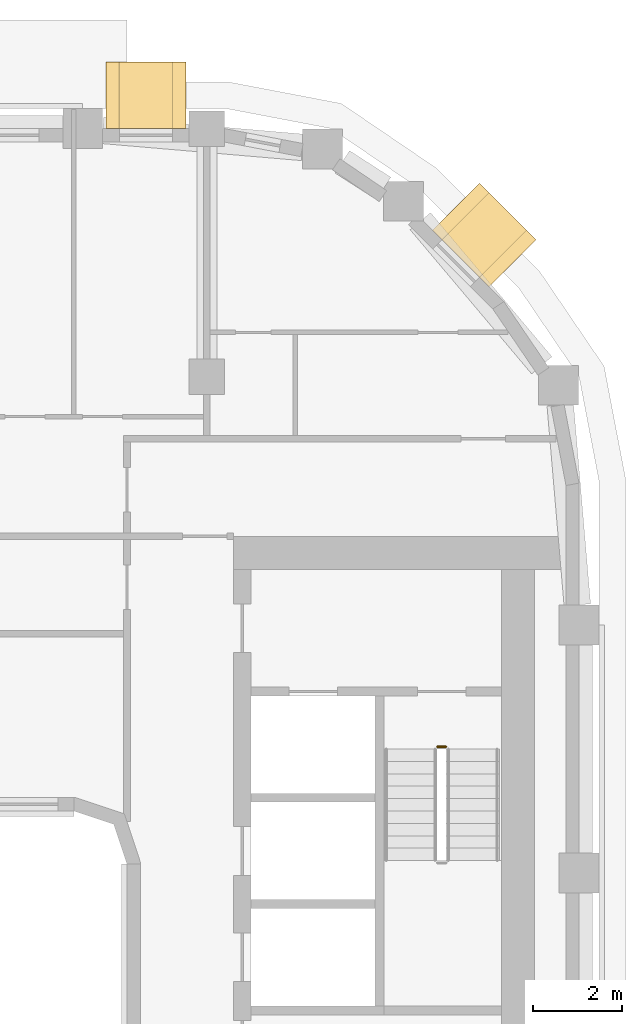
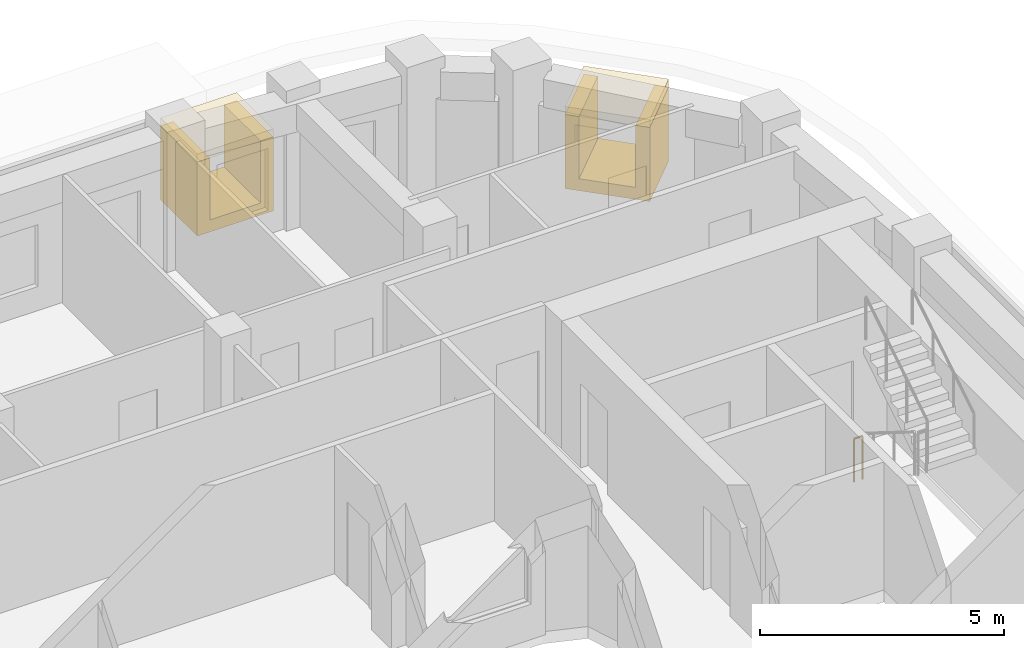
# One storey, part 21 of 21: 4 coverings, 1 railing.
"""IFC4 building model written with IfcOpenShell, lengths in metres."""

import ifcopenshell
import ifcopenshell.guid

model = None  # the IFC model being written
_history = None  # IfcOwnerHistory: only IFC2X3 demands one
_inside = {}  # id of a spatial element -> (the spatial element, [elements in it])
_under = {}  # id of a project, library or spatial element -> (it, [spatial elements below it])
_declared = {}  # id of a project -> (the project, [libraries it declares])
_typed = {}  # id of a type object -> (the type object, [elements of that type])
_made_of = {}  # id of a material, layer set ... -> (it, [elements and type objects made of it])


def new_model(schema):
    """Start an empty IFC model of exactly this schema.

    Asked for "IFC4X3", IfcOpenShell would pick the latest addendum, in which some entities
    have other attributes; the version numbers below select the first issue.
    IFC2X3 requires an IfcOwnerHistory on every rooted entity: one is made here for all.
    """
    global model, _history
    if schema == "IFC4X3":
        model = ifcopenshell.file(schema_version=(4, 3, 0, 0))
    else:
        model = ifcopenshell.file(schema=schema)
    _inside.clear()
    _under.clear()
    _declared.clear()
    _typed.clear()
    _made_of.clear()
    _history = None
    if model.schema == "IFC2X3":
        org = make("IfcOrganization", Name="unknown")
        user = make(
            "IfcPersonAndOrganization",
            ThePerson=make("IfcPerson", FamilyName="unknown"),
            TheOrganization=org,
        )
        app = make(
            "IfcApplication",
            ApplicationDeveloper=org,
            Version="unknown",
            ApplicationFullName="unknown",
            ApplicationIdentifier="unknown",
        )
        _history = make(
            "IfcOwnerHistory",
            OwningUser=user,
            OwningApplication=app,
            ChangeAction="ADDED",
            CreationDate=0,
        )
    return model


def make(cls, **values):
    """One entity of the class cls with the attributes given. An attribute that is None is left unset."""
    return model.create_entity(
        cls, **{name: value for name, value in values.items() if value is not None}
    )


def rooted(cls, **values):
    """An entity with a GlobalId (a new one), such as an element, a storey or a relation."""
    return make(cls, GlobalId=ifcopenshell.guid.new(), OwnerHistory=_history, **values)


def si_unit(unit_type, name, prefix=None):
    """IfcSIUnit, for example si_unit("LENGTHUNIT", "METRE", prefix="MILLI")."""
    return make("IfcSIUnit", UnitType=unit_type, Prefix=prefix, Name=name)


def assignment(units):
    """IfcUnitAssignment: the units of a project."""
    return None if units is None else make("IfcUnitAssignment", Units=units)


def point(xyz):
    """IfcCartesianPoint."""
    return None if xyz is None else make("IfcCartesianPoint", Coordinates=xyz)


def direction(xyz):
    """IfcDirection."""
    return None if xyz is None else make("IfcDirection", DirectionRatios=xyz)


def frame(location, z_axis=None, x_axis=None):
    """IfcAxis2Placement3D, a coordinate frame: its origin and axes. An axis left out is left unset."""
    return make(
        "IfcAxis2Placement3D",
        Location=point(location),
        Axis=direction(z_axis),
        RefDirection=direction(x_axis),
    )


def frame_2d(location, x_axis=None):
    """IfcAxis2Placement2D, a coordinate frame in the plane: its origin and x axis."""
    return make(
        "IfcAxis2Placement2D", Location=point(location), RefDirection=direction(x_axis)
    )


def origin():
    """The frame at (0, 0, 0) with its axes left unset."""
    return frame((0.0, 0.0, 0.0))


def origin_2d():
    """The frame at (0, 0) in the plane with its x axis left unset."""
    return frame_2d((0.0, 0.0))


def place(relative_to, where):
    """IfcLocalPlacement: puts the frame where relative to a parent placement (None: the world)."""
    return make(
        "IfcLocalPlacement", PlacementRelTo=relative_to, RelativePlacement=where
    )


def context(
    kind, dimensions, precision=None, world=None, true_north=None, identifier=None
):
    """IfcGeometricRepresentationContext, for example the 3D "Model" context."""
    return make(
        "IfcGeometricRepresentationContext",
        ContextIdentifier=identifier,
        ContextType=kind,
        CoordinateSpaceDimension=dimensions,
        Precision=precision,
        WorldCoordinateSystem=world,
        TrueNorth=true_north,
    )


def subcontext(parent, identifier, kind, view, scale=None):
    """IfcGeometricRepresentationSubContext, for example "Body" below "Model"."""
    return make(
        "IfcGeometricRepresentationSubContext",
        ContextIdentifier=identifier,
        ContextType=kind,
        ParentContext=parent,
        TargetScale=scale,
        TargetView=view,
    )


def project(units=None, contexts=None):
    """IfcProject with its units and contexts."""
    return rooted(
        "IfcProject",
        Name="project",
        RepresentationContexts=contexts,
        UnitsInContext=assignment(units),
    )


def spatial(cls, under=None, at=None, **own):
    """A site, building, storey or space (cls), placed at a placement, below another one or the project."""
    s = rooted(cls, ObjectPlacement=at, **own)
    if under is not None:
        _under.setdefault(under.id(), (under, []))[1].append(s)
    return s


def polyline(points):
    """IfcPolyline through the points."""
    return make("IfcPolyline", Points=[point(p) for p in points])


def profile(cls, at=None, kind="AREA", **sizes):
    """A parametric profile (cls). Its sizes go by their IFC names, for example OverallWidth=200.0."""
    return make(cls, ProfileType=kind, Position=at, **sizes)


def rectangle(**sizes):
    """IfcRectangleProfileDef."""
    return profile("IfcRectangleProfileDef", **sizes)


def circle(**sizes):
    """IfcCircleProfileDef."""
    return profile("IfcCircleProfileDef", **sizes)


def outline(outer, holes=None, kind="AREA"):
    """IfcArbitraryClosedProfileDef: a profile drawn as a closed curve; with holes, ...WithVoids."""
    if holes is None:
        return make("IfcArbitraryClosedProfileDef", ProfileType=kind, OuterCurve=outer)
    return make(
        "IfcArbitraryProfileDefWithVoids",
        ProfileType=kind,
        OuterCurve=outer,
        InnerCurves=holes,
    )


def extrude(swept, where, along, depth):
    """IfcExtrudedAreaSolid: the profile swept, set in the frame where, extruded along a direction by depth."""
    return make(
        "IfcExtrudedAreaSolid",
        SweptArea=swept,
        Position=where,
        ExtrudedDirection=direction(along),
        Depth=depth,
    )


def shape(context_of_items, identifier, shape_type, items):
    """IfcShapeRepresentation: the items that make up one representation, for example the "Body"."""
    return make(
        "IfcShapeRepresentation",
        ContextOfItems=context_of_items,
        RepresentationIdentifier=identifier,
        RepresentationType=shape_type,
        Items=items,
    )


def material(Name=None, Category=None):
    """IfcMaterial."""
    return make("IfcMaterial", Name=Name, Category=Category)


def layer(
    of_material, thickness, ventilated=None, Name=None, Category=None, Priority=None
):
    """IfcMaterialLayer: one layer of a wall or slab, of a material (None: an air gap)."""
    return make(
        "IfcMaterialLayer",
        Material=of_material,
        LayerThickness=thickness,
        IsVentilated=ventilated,
        Name=Name,
        Category=Category,
        Priority=Priority,
    )


def layer_set(layers, Name=None):
    """IfcMaterialLayerSet."""
    return make("IfcMaterialLayerSet", MaterialLayers=layers, LayerSetName=Name)


def made_of(thing, what):
    """Note that an element or type object is made of a material, layer set ...; save() writes the relation."""
    if what is not None:
        _made_of.setdefault(what.id(), (what, []))[1].append(thing)
    return thing


def type_object(cls, material=None, **own):
    """A type object (cls), such as IfcWallType, which elements share."""
    return made_of(rooted(cls, **own), material)


def element(
    cls,
    number,
    at=None,
    inside=None,
    cuts=None,
    type_object=None,
    material=None,
    context=None,
    identifier="Body",
    shape_type=None,
    held_by="IfcProductDefinitionShape",
    body=None,
    shapes=None,
    **own,
):
    """One element of the class cls, such as IfcWall. Its Tag is "e" and its number.

    at: its placement. inside: the storey or other place that contains it. cuts: it is an
    opening in that element (IfcRelVoidsElement). A single representation is given by context,
    identifier, shape_type and body (its items); several are given by shapes. held_by: the class
    of the entity that holds the representations. save() writes the other relations.
    """
    e = rooted(cls, Tag="e%d" % number, ObjectPlacement=at, **own)
    if body is not None:
        shapes = [shape(context, identifier, shape_type, body)]
    if shapes is not None:
        e.Representation = make(held_by, Representations=shapes)
    if inside is not None:
        _inside.setdefault(inside.id(), (inside, []))[1].append(e)
    if cuts is not None:
        rooted(
            "IfcRelVoidsElement", RelatingBuildingElement=cuts, RelatedOpeningElement=e
        )
    if type_object is not None:
        _typed.setdefault(type_object.id(), (type_object, []))[1].append(e)
    return made_of(e, material)


def aggregate(whole, parts):
    """IfcRelAggregates: a whole, such as a stair, and the parts it consists of."""
    return rooted("IfcRelAggregates", RelatingObject=whole, RelatedObjects=parts)


def save(model, path):
    """Write the relations noted so far, then the file.

    IfcRelAggregates (storeys below a building ...), IfcRelContainedInSpatialStructure (elements
    in a storey), IfcRelDefinesByType, IfcRelAssociatesMaterial and IfcRelDeclares: one each for
    every whole, place, type object, material and project.
    """
    for whole, parts in _under.values():
        aggregate(whole, parts)
    for where, things in _inside.values():
        rooted(
            "IfcRelContainedInSpatialStructure",
            RelatedElements=things,
            RelatingStructure=where,
        )
    for kind, things in _typed.values():
        rooted("IfcRelDefinesByType", RelatedObjects=things, RelatingType=kind)
    for what, things in _made_of.values():
        rooted("IfcRelAssociatesMaterial", RelatedObjects=things, RelatingMaterial=what)
    for by, libraries in _declared.values():
        rooted("IfcRelDeclares", RelatingContext=by, RelatedDefinitions=libraries)
    model.write(path)


model = new_model("IFC4")

# Units and contexts
model_context = context("Model", 3, precision=1e-05, world=origin(), true_north=direction((0.0, 1.0)))
body_context = subcontext(model_context, "Body", "Model", "MODEL_VIEW")
ifc_project = project(units=[si_unit("LENGTHUNIT", "METRE"), si_unit("AREAUNIT", "SQUARE_METRE"), si_unit("VOLUMEUNIT", "CUBIC_METRE"), si_unit("PLANEANGLEUNIT", "RADIAN"), si_unit("MASSUNIT", "GRAM", prefix="KILO")], contexts=[model_context])

# Site, building, storey
site_placement = place(None, origin())
site = spatial("IfcSite", under=ifc_project, at=site_placement, CompositionType="ELEMENT")
building_placement = place(site_placement, origin())
building = spatial("IfcBuilding", under=site, at=building_placement, Name="Kiln Ring Residences", CompositionType="ELEMENT")
storey_placement = place(building_placement, frame((0.0, 0.0, 202.89990234375)))
storey = spatial("IfcBuildingStorey", under=building, at=storey_placement, Name="L52", CompositionType="ELEMENT", Elevation=202.89990234375)

# Railing
ifc_material_1 = material(Name="Stainless steel", Category="steel")
railing_type = type_object("IfcRailingType", Name="CORE-STAIR-GUARD", PredefinedType="GUARDRAIL", material=ifc_material_1)
railing_placement = place(storey_placement, frame((22.0, 8.449951171875, 0.0)))
element("IfcRailing", 1, at=railing_placement, inside=storey, type_object=railing_type, Name="L52 E-STN stair guard 4", PredefinedType="GUARDRAIL", context=body_context, shape_type="SweptSolid", body=[
    extrude(circle(Radius=0.02392578125, at=origin_2d()), frame((0.0, 0.0, 1.076171875), z_axis=(1.0, 0.0, 0.0), x_axis=(0.0, 1.0, 0.0)), (0.0, 0.0, 1.0), 0.199951171875),
    extrude(circle(Radius=0.02099609375, at=origin_2d()), origin(), (0.0, 0.0, 1.0), 1.052001953125),
    extrude(circle(Radius=0.02099609375, at=origin_2d()), frame((0.199951171875, 0.0, 0.0)), (0.0, 0.0, 1.0), 1.052001953125),
])

# Coverings
ifc_material_2 = material(Name="Brick masonry, dark clay brick", Category="masonry")
ifc_layer_1 = layer(ifc_material_2, 0.300048828125)
ifc_layer_set_1 = layer_set([ifc_layer_1], Name="FRAME CHEEKS AND SILL 1500")
covering_type_1 = type_object("IfcCoveringType", Name="FRAME CHEEKS AND SILL 1500", PredefinedType="CLADDING", material=ifc_layer_set_1)
for number, where, z_axis, x_axis, name in (
    (2, (23.697509765625, 19.36328125, 0.300048828125), (0.0, 0.0, 1.0), (-0.707174592913, 0.707038962956, 0.0), "FRAME L52"),
    (3, (16.324951171875, 23.14990234375, 0.300048828125), (0.0, 0.0, 1.0), (-1.0, 0.0, 0.0), "FRAME L52"),
):
    element("IfcCovering", number, at=place(storey_placement, frame(where, z_axis=z_axis, x_axis=x_axis)), inside=storey, type_object=covering_type_1, Name=name, PredefinedType="CLADDING", context=body_context, shape_type="SweptSolid", body=[
        extrude(outline(polyline([(0.0, 0.0), (1.800048828125, 0.0), (1.800048828125, 1.85009765625), (1.5009765625, 1.85009765625), (1.5, 0.300048828125), (0.300048828125, 0.300048828125), (0.299072265625, 1.85009765625), (0.0, 1.85009765625), (0.0, 0.0)])), frame((0.0, 0.75, 0.0), z_axis=(0.0, -1.0, 0.0), x_axis=(1.0, 0.0, 0.0)), (0.0, 0.0, 1.0), 1.5),
    ])
ifc_material_3 = material(Name="Brick masonry, dark clay brick", Category="masonry")
ifc_layer_2 = layer(ifc_material_3, 0.199951171875)
ifc_layer_set_2 = layer_set([ifc_layer_2], Name="FRAME HEAD 1500")
covering_type_2 = type_object("IfcCoveringType", Name="FRAME HEAD 1500", PredefinedType="CLADDING", material=ifc_layer_set_2)
for number, where, z_axis, x_axis, name in (
    (4, (23.06103515625, 19.999755859375, 2.14990234375), (0.0, 0.0, 1.0), (-0.707106781187, 0.707106781187, 0.0), "FRAME HEAD L52"),
    (5, (15.425048828125, 23.14990234375, 2.14990234375), (0.0, 0.0, 1.0), (-1.0, 0.0, 0.0), "FRAME HEAD L52"),
):
    element("IfcCovering", number, at=place(storey_placement, frame(where, z_axis=z_axis, x_axis=x_axis)), inside=storey, type_object=covering_type_2, Name=name, PredefinedType="CLADDING", context=body_context, shape_type="SweptSolid", body=[
        extrude(rectangle(XDim=1.800048828125, YDim=1.5, at=origin_2d()), origin(), (0.0, 0.0, 1.0), 0.199951171875),
    ])

save(model, "model.ifc")
